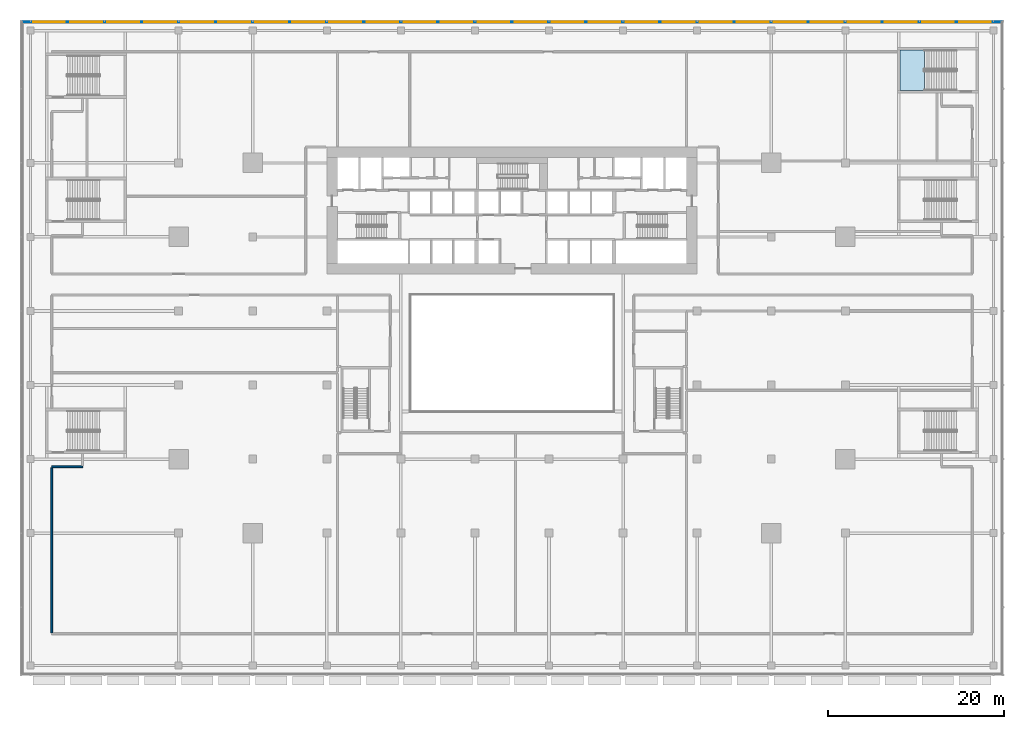
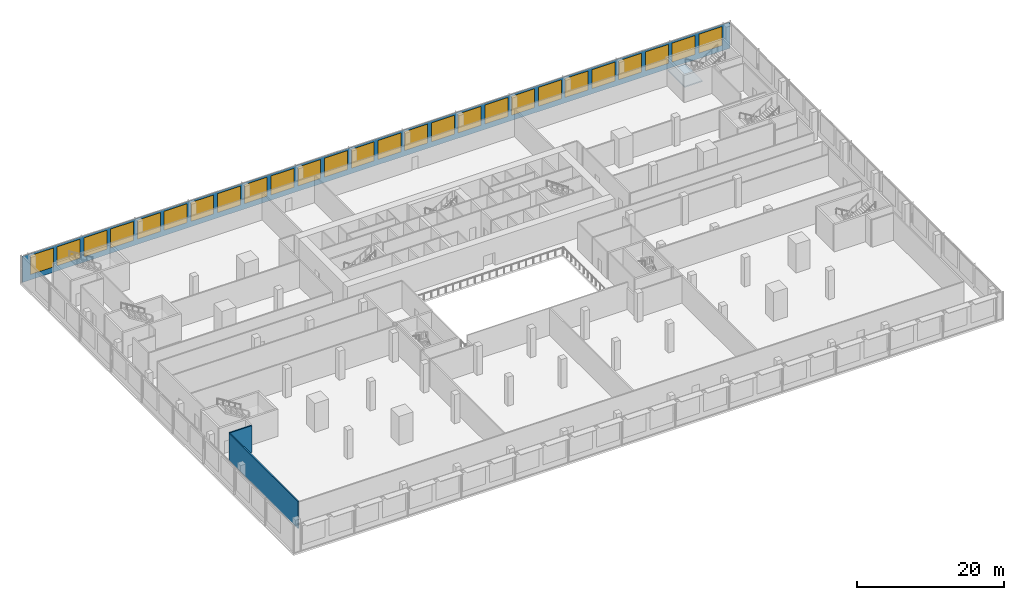
# One storey, part 25 of 39: 26 windows, 2 walls, 1 plate, 1 slab, 26 openings, 2 elements without a shape of their own.
"""IFC4 building model written with IfcOpenShell, lengths in metres."""

from ifc_helpers import new_model, si_unit, direction, frame, frame_2d, origin, place, context, subcontext, project, spatial, polyline, rectangle, outline, extrude, material, layer, layer_set, type_object, element, fill, aggregate, save


model = new_model("IFC4")

# Units and contexts
model_context = context("Model", 3, precision=1e-05, world=origin(), true_north=direction((0.0, 1.0)))
body_context = subcontext(model_context, "Body", "Model", "MODEL_VIEW")
ifc_project = project(units=[si_unit("LENGTHUNIT", "METRE"), si_unit("AREAUNIT", "SQUARE_METRE"), si_unit("VOLUMEUNIT", "CUBIC_METRE"), si_unit("PLANEANGLEUNIT", "RADIAN"), si_unit("MASSUNIT", "GRAM", prefix="KILO")], contexts=[model_context])

# Site, building, storey
site_placement = place(None, origin())
site = spatial("IfcSite", under=ifc_project, at=site_placement, CompositionType="ELEMENT")
building_placement = place(site_placement, origin())
building = spatial("IfcBuilding", under=site, at=building_placement, Name="Saffron Gate Tower", CompositionType="ELEMENT")
storey_placement = place(building_placement, frame((0.0, 0.0, 14.39990234375)))
storey = spatial("IfcBuildingStorey", under=building, at=storey_placement, Name="L02", CompositionType="ELEMENT", Elevation=14.39990234375)

# Curtain wall, plate, openings, windows
ifc_material_1 = material(Name="Aluminium, bronze anodised", Category="aluminium")
curtain_wall_type = type_object("IfcCurtainWallType", Name="CWS5 curtain wall podium ring base", PredefinedType="NOTDEFINED", material=ifc_material_1)
curtain_wall_placement = place(storey_placement, origin())
curtain_wall = element("IfcCurtainWall", 1, at=curtain_wall_placement, inside=storey, type_object=curtain_wall_type, Name="CWS5 run 3", PredefinedType="NOTDEFINED")
ifc_material_2 = material(Name="Clear low-iron laminated glass", Category="glass")
ifc_layer_1 = layer(ifc_material_2, 0.028076171875)
ifc_layer_set_1 = layer_set([ifc_layer_1], Name="CWS5 fixed glass")
plate_type = type_object("IfcPlateType", Name="CWS5 fixed glass", PredefinedType="CURTAIN_PANEL", material=ifc_layer_set_1)
plate_placement = place(storey_placement, frame((143.172119140625, 89.785888671875, 0.0), z_axis=(0.0, 0.0, 1.0), x_axis=(-1.0, 0.0, 0.0)))
plate = element("IfcPlate", 2, at=plate_placement, type_object=plate_type, Name="CWS5 glass panel", PredefinedType="CURTAIN_PANEL", context=body_context, shape_type="SweptSolid", body=[
    extrude(rectangle(XDim=111.14404296875, YDim=0.028076171875, at=frame_2d((55.572021484375, 0.0))), origin(), (0.0, 0.0, 1.0), 4.380126953125),
])
opening_1_placement = place(plate_placement, frame((1.27197265625, 0.0, 0.89990234375)))
opening_1 = element("IfcOpeningElement", 3, at=opening_1_placement, cuts=plate, Name="Opening W5", PredefinedType="OPENING", context=body_context, shape_type="SweptSolid", body=[
    extrude(rectangle(XDim=3.60009765625, YDim=3.1298828125, at=frame_2d((1.800048828125, 1.56494140625))), frame((0.0, 0.02392578125, 0.0), z_axis=(0.0, -1.0, 0.0), x_axis=(1.0, 0.0, 0.0)), (0.0, 0.0, 1.0), 0.048095703125),
])
opening_2_placement = place(plate_placement, frame((5.471923828125, 0.0, 0.89990234375)))
opening_2 = element("IfcOpeningElement", 4, at=opening_2_placement, cuts=plate, Name="Opening W5", PredefinedType="OPENING", context=body_context, shape_type="SweptSolid", body=[
    extrude(rectangle(XDim=3.60009765625, YDim=3.1298828125, at=frame_2d((1.800048828125, 1.56494140625))), frame((0.0, 0.02392578125, 0.0), z_axis=(0.0, -1.0, 0.0), x_axis=(1.0, 0.0, 0.0)), (0.0, 0.0, 1.0), 0.048095703125),
])
opening_3_placement = place(plate_placement, frame((9.672119140625, 0.0, 0.89990234375)))
opening_3 = element("IfcOpeningElement", 5, at=opening_3_placement, cuts=plate, Name="Opening W5", PredefinedType="OPENING", context=body_context, shape_type="SweptSolid", body=[
    extrude(rectangle(XDim=3.60009765625, YDim=3.1298828125, at=frame_2d((1.800048828125, 1.56494140625))), frame((0.0, 0.02392578125, 0.0), z_axis=(0.0, -1.0, 0.0), x_axis=(1.0, 0.0, 0.0)), (0.0, 0.0, 1.0), 0.048095703125),
])
opening_4_placement = place(plate_placement, frame((13.8720703125, 0.0, 0.89990234375)))
opening_4 = element("IfcOpeningElement", 6, at=opening_4_placement, cuts=plate, Name="Opening W5", PredefinedType="OPENING", context=body_context, shape_type="SweptSolid", body=[
    extrude(rectangle(XDim=3.60009765625, YDim=3.1298828125, at=frame_2d((1.800048828125, 1.56494140625))), frame((0.0, 0.02392578125, 0.0), z_axis=(0.0, -1.0, 0.0), x_axis=(1.0, 0.0, 0.0)), (0.0, 0.0, 1.0), 0.048095703125),
])
opening_5_placement = place(plate_placement, frame((18.072021484375, 0.0, 0.89990234375)))
opening_5 = element("IfcOpeningElement", 7, at=opening_5_placement, cuts=plate, Name="Opening W5", PredefinedType="OPENING", context=body_context, shape_type="SweptSolid", body=[
    extrude(rectangle(XDim=3.60009765625, YDim=3.1298828125, at=frame_2d((1.800048828125, 1.56494140625))), frame((0.0, 0.02392578125, 0.0), z_axis=(0.0, -1.0, 0.0), x_axis=(1.0, 0.0, 0.0)), (0.0, 0.0, 1.0), 0.048095703125),
])
opening_6_placement = place(plate_placement, frame((22.27197265625, 0.0, 0.89990234375)))
opening_6 = element("IfcOpeningElement", 8, at=opening_6_placement, cuts=plate, Name="Opening W5", PredefinedType="OPENING", context=body_context, shape_type="SweptSolid", body=[
    extrude(rectangle(XDim=3.60009765625, YDim=3.1298828125, at=frame_2d((1.800048828125, 1.56494140625))), frame((0.0, 0.02392578125, 0.0), z_axis=(0.0, -1.0, 0.0), x_axis=(1.0, 0.0, 0.0)), (0.0, 0.0, 1.0), 0.048095703125),
])
opening_7_placement = place(plate_placement, frame((26.471923828125, 0.0, 0.89990234375)))
opening_7 = element("IfcOpeningElement", 9, at=opening_7_placement, cuts=plate, Name="Opening W5", PredefinedType="OPENING", context=body_context, shape_type="SweptSolid", body=[
    extrude(rectangle(XDim=3.60009765625, YDim=3.1298828125, at=frame_2d((1.800048828125, 1.56494140625))), frame((0.0, 0.02392578125, 0.0), z_axis=(0.0, -1.0, 0.0), x_axis=(1.0, 0.0, 0.0)), (0.0, 0.0, 1.0), 0.048095703125),
])
opening_8_placement = place(plate_placement, frame((30.672119140625, 0.0, 0.89990234375)))
opening_8 = element("IfcOpeningElement", 10, at=opening_8_placement, cuts=plate, Name="Opening W5", PredefinedType="OPENING", context=body_context, shape_type="SweptSolid", body=[
    extrude(rectangle(XDim=3.60009765625, YDim=3.1298828125, at=frame_2d((1.800048828125, 1.56494140625))), frame((0.0, 0.02392578125, 0.0), z_axis=(0.0, -1.0, 0.0), x_axis=(1.0, 0.0, 0.0)), (0.0, 0.0, 1.0), 0.048095703125),
])
opening_9_placement = place(plate_placement, frame((34.8720703125, 0.0, 0.89990234375)))
opening_9 = element("IfcOpeningElement", 11, at=opening_9_placement, cuts=plate, Name="Opening W5", PredefinedType="OPENING", context=body_context, shape_type="SweptSolid", body=[
    extrude(rectangle(XDim=3.60009765625, YDim=3.1298828125, at=frame_2d((1.800048828125, 1.56494140625))), frame((0.0, 0.02392578125, 0.0), z_axis=(0.0, -1.0, 0.0), x_axis=(1.0, 0.0, 0.0)), (0.0, 0.0, 1.0), 0.048095703125),
])
opening_10_placement = place(plate_placement, frame((39.072021484375, 0.0, 0.89990234375)))
opening_10 = element("IfcOpeningElement", 12, at=opening_10_placement, cuts=plate, Name="Opening W5", PredefinedType="OPENING", context=body_context, shape_type="SweptSolid", body=[
    extrude(rectangle(XDim=3.60009765625, YDim=3.1298828125, at=frame_2d((1.800048828125, 1.56494140625))), frame((0.0, 0.02392578125, 0.0), z_axis=(0.0, -1.0, 0.0), x_axis=(1.0, 0.0, 0.0)), (0.0, 0.0, 1.0), 0.048095703125),
])
opening_11_placement = place(plate_placement, frame((43.27197265625, 0.0, 0.89990234375)))
opening_11 = element("IfcOpeningElement", 13, at=opening_11_placement, cuts=plate, Name="Opening W5", PredefinedType="OPENING", context=body_context, shape_type="SweptSolid", body=[
    extrude(rectangle(XDim=3.60009765625, YDim=3.1298828125, at=frame_2d((1.800048828125, 1.56494140625))), frame((0.0, 0.02392578125, 0.0), z_axis=(0.0, -1.0, 0.0), x_axis=(1.0, 0.0, 0.0)), (0.0, 0.0, 1.0), 0.048095703125),
])
opening_12_placement = place(plate_placement, frame((47.471923828125, 0.0, 0.89990234375)))
opening_12 = element("IfcOpeningElement", 14, at=opening_12_placement, cuts=plate, Name="Opening W5", PredefinedType="OPENING", context=body_context, shape_type="SweptSolid", body=[
    extrude(rectangle(XDim=3.60009765625, YDim=3.1298828125, at=frame_2d((1.800048828125, 1.56494140625))), frame((0.0, 0.02392578125, 0.0), z_axis=(0.0, -1.0, 0.0), x_axis=(1.0, 0.0, 0.0)), (0.0, 0.0, 1.0), 0.048095703125),
])
opening_13_placement = place(plate_placement, frame((51.672119140625, 0.0, 0.89990234375)))
opening_13 = element("IfcOpeningElement", 15, at=opening_13_placement, cuts=plate, Name="Opening W5", PredefinedType="OPENING", context=body_context, shape_type="SweptSolid", body=[
    extrude(rectangle(XDim=3.60009765625, YDim=3.1298828125, at=frame_2d((1.800048828125, 1.56494140625))), frame((0.0, 0.02392578125, 0.0), z_axis=(0.0, -1.0, 0.0), x_axis=(1.0, 0.0, 0.0)), (0.0, 0.0, 1.0), 0.048095703125),
])
opening_14_placement = place(plate_placement, frame((55.8720703125, 0.0, 0.89990234375)))
opening_14 = element("IfcOpeningElement", 16, at=opening_14_placement, cuts=plate, Name="Opening W5", PredefinedType="OPENING", context=body_context, shape_type="SweptSolid", body=[
    extrude(rectangle(XDim=3.60009765625, YDim=3.1298828125, at=frame_2d((1.800048828125, 1.56494140625))), frame((0.0, 0.02392578125, 0.0), z_axis=(0.0, -1.0, 0.0), x_axis=(1.0, 0.0, 0.0)), (0.0, 0.0, 1.0), 0.048095703125),
])
opening_15_placement = place(plate_placement, frame((60.072021484375, 0.0, 0.89990234375)))
opening_15 = element("IfcOpeningElement", 17, at=opening_15_placement, cuts=plate, Name="Opening W5", PredefinedType="OPENING", context=body_context, shape_type="SweptSolid", body=[
    extrude(rectangle(XDim=3.60009765625, YDim=3.1298828125, at=frame_2d((1.800048828125, 1.56494140625))), frame((0.0, 0.02392578125, 0.0), z_axis=(0.0, -1.0, 0.0), x_axis=(1.0, 0.0, 0.0)), (0.0, 0.0, 1.0), 0.048095703125),
])
opening_16_placement = place(plate_placement, frame((64.27197265625, 0.0, 0.89990234375)))
opening_16 = element("IfcOpeningElement", 18, at=opening_16_placement, cuts=plate, Name="Opening W5", PredefinedType="OPENING", context=body_context, shape_type="SweptSolid", body=[
    extrude(rectangle(XDim=3.60009765625, YDim=3.1298828125, at=frame_2d((1.800048828125, 1.56494140625))), frame((0.0, 0.02392578125, 0.0), z_axis=(0.0, -1.0, 0.0), x_axis=(1.0, 0.0, 0.0)), (0.0, 0.0, 1.0), 0.048095703125),
])
opening_17_placement = place(plate_placement, frame((68.471923828125, 0.0, 0.89990234375)))
opening_17 = element("IfcOpeningElement", 19, at=opening_17_placement, cuts=plate, Name="Opening W5", PredefinedType="OPENING", context=body_context, shape_type="SweptSolid", body=[
    extrude(rectangle(XDim=3.60009765625, YDim=3.1298828125, at=frame_2d((1.800048828125, 1.56494140625))), frame((0.0, 0.02392578125, 0.0), z_axis=(0.0, -1.0, 0.0), x_axis=(1.0, 0.0, 0.0)), (0.0, 0.0, 1.0), 0.048095703125),
])
opening_18_placement = place(plate_placement, frame((72.672119140625, 0.0, 0.89990234375)))
opening_18 = element("IfcOpeningElement", 20, at=opening_18_placement, cuts=plate, Name="Opening W5", PredefinedType="OPENING", context=body_context, shape_type="SweptSolid", body=[
    extrude(rectangle(XDim=3.60009765625, YDim=3.1298828125, at=frame_2d((1.800048828125, 1.56494140625))), frame((0.0, 0.02392578125, 0.0), z_axis=(0.0, -1.0, 0.0), x_axis=(1.0, 0.0, 0.0)), (0.0, 0.0, 1.0), 0.048095703125),
])
opening_19_placement = place(plate_placement, frame((76.8720703125, 0.0, 0.89990234375)))
opening_19 = element("IfcOpeningElement", 21, at=opening_19_placement, cuts=plate, Name="Opening W5", PredefinedType="OPENING", context=body_context, shape_type="SweptSolid", body=[
    extrude(rectangle(XDim=3.60009765625, YDim=3.1298828125, at=frame_2d((1.800048828125, 1.56494140625))), frame((0.0, 0.02392578125, 0.0), z_axis=(0.0, -1.0, 0.0), x_axis=(1.0, 0.0, 0.0)), (0.0, 0.0, 1.0), 0.048095703125),
])
opening_20_placement = place(plate_placement, frame((81.072021484375, 0.0, 0.89990234375)))
opening_20 = element("IfcOpeningElement", 22, at=opening_20_placement, cuts=plate, Name="Opening W5", PredefinedType="OPENING", context=body_context, shape_type="SweptSolid", body=[
    extrude(rectangle(XDim=3.60009765625, YDim=3.1298828125, at=frame_2d((1.800048828125, 1.56494140625))), frame((0.0, 0.02392578125, 0.0), z_axis=(0.0, -1.0, 0.0), x_axis=(1.0, 0.0, 0.0)), (0.0, 0.0, 1.0), 0.048095703125),
])
opening_21_placement = place(plate_placement, frame((85.27197265625, 0.0, 0.89990234375)))
opening_21 = element("IfcOpeningElement", 23, at=opening_21_placement, cuts=plate, Name="Opening W5", PredefinedType="OPENING", context=body_context, shape_type="SweptSolid", body=[
    extrude(rectangle(XDim=3.60009765625, YDim=3.1298828125, at=frame_2d((1.800048828125, 1.56494140625))), frame((0.0, 0.02392578125, 0.0), z_axis=(0.0, -1.0, 0.0), x_axis=(1.0, 0.0, 0.0)), (0.0, 0.0, 1.0), 0.048095703125),
])
opening_22_placement = place(plate_placement, frame((89.471923828125, 0.0, 0.89990234375)))
opening_22 = element("IfcOpeningElement", 24, at=opening_22_placement, cuts=plate, Name="Opening W5", PredefinedType="OPENING", context=body_context, shape_type="SweptSolid", body=[
    extrude(rectangle(XDim=3.60009765625, YDim=3.1298828125, at=frame_2d((1.800048828125, 1.56494140625))), frame((0.0, 0.02392578125, 0.0), z_axis=(0.0, -1.0, 0.0), x_axis=(1.0, 0.0, 0.0)), (0.0, 0.0, 1.0), 0.048095703125),
])
opening_23_placement = place(plate_placement, frame((93.672119140625, 0.0, 0.89990234375)))
opening_23 = element("IfcOpeningElement", 25, at=opening_23_placement, cuts=plate, Name="Opening W5", PredefinedType="OPENING", context=body_context, shape_type="SweptSolid", body=[
    extrude(rectangle(XDim=3.60009765625, YDim=3.1298828125, at=frame_2d((1.800048828125, 1.56494140625))), frame((0.0, 0.02392578125, 0.0), z_axis=(0.0, -1.0, 0.0), x_axis=(1.0, 0.0, 0.0)), (0.0, 0.0, 1.0), 0.048095703125),
])
opening_24_placement = place(plate_placement, frame((97.8720703125, 0.0, 0.89990234375)))
opening_24 = element("IfcOpeningElement", 26, at=opening_24_placement, cuts=plate, Name="Opening W5", PredefinedType="OPENING", context=body_context, shape_type="SweptSolid", body=[
    extrude(rectangle(XDim=3.60009765625, YDim=3.1298828125, at=frame_2d((1.800048828125, 1.56494140625))), frame((0.0, 0.02392578125, 0.0), z_axis=(0.0, -1.0, 0.0), x_axis=(1.0, 0.0, 0.0)), (0.0, 0.0, 1.0), 0.048095703125),
])
opening_25_placement = place(plate_placement, frame((102.072021484375, 0.0, 0.89990234375)))
opening_25 = element("IfcOpeningElement", 27, at=opening_25_placement, cuts=plate, Name="Opening W5", PredefinedType="OPENING", context=body_context, shape_type="SweptSolid", body=[
    extrude(rectangle(XDim=3.60009765625, YDim=3.1298828125, at=frame_2d((1.800048828125, 1.56494140625))), frame((0.0, 0.02392578125, 0.0), z_axis=(0.0, -1.0, 0.0), x_axis=(1.0, 0.0, 0.0)), (0.0, 0.0, 1.0), 0.048095703125),
])
opening_26_placement = place(plate_placement, frame((106.27197265625, 0.0, 0.89990234375)))
opening_26 = element("IfcOpeningElement", 28, at=opening_26_placement, cuts=plate, Name="Opening W5", PredefinedType="OPENING", context=body_context, shape_type="SweptSolid", body=[
    extrude(rectangle(XDim=3.60009765625, YDim=3.1298828125, at=frame_2d((1.800048828125, 1.56494140625))), frame((0.0, 0.02392578125, 0.0), z_axis=(0.0, -1.0, 0.0), x_axis=(1.0, 0.0, 0.0)), (0.0, 0.0, 1.0), 0.048095703125),
])
ifc_material_3 = material(Name="Fritted bronze-tinted laminated glass in bronze frame", Category="glass")
ifc_layer_2 = layer(ifc_material_3, 0.06005859375)
ifc_layer_set_2 = layer_set([ifc_layer_2], Name="W5 operable panel 3600x3130")
window_type = type_object("IfcWindowType", Name="W5 operable panel 3600x3130", PartitioningType="DOUBLE_PANEL_HORIZONTAL", PredefinedType="WINDOW", material=ifc_layer_set_2)
window_1_placement = place(opening_1_placement, origin())
window_1 = element("IfcWindow", 29, at=window_1_placement, type_object=window_type, Name="W5 operable panel", OverallHeight=3.1298828125, OverallWidth=3.60009765625, PartitioningType="SINGLE_PANEL", PredefinedType="WINDOW", context=body_context, shape_type="SweptSolid", body=[
    extrude(rectangle(XDim=3.60009765625, YDim=3.1298828125, at=frame_2d((1.800048828125, 1.56494140625))), frame((0.0, 0.013671875, 0.0), z_axis=(0.0, -1.0, 0.0), x_axis=(1.0, 0.0, 0.0)), (0.0, 0.0, 1.0), 0.027587890625),
])
fill(opening_1, window_1)
window_2_placement = place(opening_2_placement, origin())
window_2 = element("IfcWindow", 30, at=window_2_placement, type_object=window_type, Name="W5 operable panel", OverallHeight=3.1298828125, OverallWidth=3.60009765625, PartitioningType="SINGLE_PANEL", PredefinedType="WINDOW", context=body_context, shape_type="SweptSolid", body=[
    extrude(rectangle(XDim=3.60009765625, YDim=3.1298828125, at=frame_2d((1.800048828125, 1.56494140625))), frame((0.0, 0.013671875, 0.0), z_axis=(0.0, -1.0, 0.0), x_axis=(1.0, 0.0, 0.0)), (0.0, 0.0, 1.0), 0.027587890625),
])
fill(opening_2, window_2)
window_3_placement = place(opening_3_placement, origin())
window_3 = element("IfcWindow", 31, at=window_3_placement, type_object=window_type, Name="W5 operable panel", OverallHeight=3.1298828125, OverallWidth=3.60009765625, PartitioningType="SINGLE_PANEL", PredefinedType="WINDOW", context=body_context, shape_type="SweptSolid", body=[
    extrude(rectangle(XDim=3.60009765625, YDim=3.1298828125, at=frame_2d((1.800048828125, 1.56494140625))), frame((0.0, 0.013671875, 0.0), z_axis=(0.0, -1.0, 0.0), x_axis=(1.0, 0.0, 0.0)), (0.0, 0.0, 1.0), 0.027587890625),
])
fill(opening_3, window_3)
window_4_placement = place(opening_4_placement, origin())
window_4 = element("IfcWindow", 32, at=window_4_placement, type_object=window_type, Name="W5 operable panel", OverallHeight=3.1298828125, OverallWidth=3.60009765625, PartitioningType="SINGLE_PANEL", PredefinedType="WINDOW", context=body_context, shape_type="SweptSolid", body=[
    extrude(rectangle(XDim=3.60009765625, YDim=3.1298828125, at=frame_2d((1.800048828125, 1.56494140625))), frame((0.0, 0.013671875, 0.0), z_axis=(0.0, -1.0, 0.0), x_axis=(1.0, 0.0, 0.0)), (0.0, 0.0, 1.0), 0.027587890625),
])
fill(opening_4, window_4)
window_5_placement = place(opening_5_placement, origin())
window_5 = element("IfcWindow", 33, at=window_5_placement, type_object=window_type, Name="W5 operable panel", OverallHeight=3.1298828125, OverallWidth=3.60009765625, PartitioningType="SINGLE_PANEL", PredefinedType="WINDOW", context=body_context, shape_type="SweptSolid", body=[
    extrude(rectangle(XDim=3.60009765625, YDim=3.1298828125, at=frame_2d((1.800048828125, 1.56494140625))), frame((0.0, 0.013671875, 0.0), z_axis=(0.0, -1.0, 0.0), x_axis=(1.0, 0.0, 0.0)), (0.0, 0.0, 1.0), 0.027587890625),
])
fill(opening_5, window_5)
window_6_placement = place(opening_6_placement, origin())
window_6 = element("IfcWindow", 34, at=window_6_placement, type_object=window_type, Name="W5 operable panel", OverallHeight=3.1298828125, OverallWidth=3.60009765625, PartitioningType="SINGLE_PANEL", PredefinedType="WINDOW", context=body_context, shape_type="SweptSolid", body=[
    extrude(rectangle(XDim=3.60009765625, YDim=3.1298828125, at=frame_2d((1.800048828125, 1.56494140625))), frame((0.0, 0.013671875, 0.0), z_axis=(0.0, -1.0, 0.0), x_axis=(1.0, 0.0, 0.0)), (0.0, 0.0, 1.0), 0.027587890625),
])
fill(opening_6, window_6)
window_7_placement = place(opening_7_placement, origin())
window_7 = element("IfcWindow", 35, at=window_7_placement, type_object=window_type, Name="W5 operable panel", OverallHeight=3.1298828125, OverallWidth=3.60009765625, PartitioningType="SINGLE_PANEL", PredefinedType="WINDOW", context=body_context, shape_type="SweptSolid", body=[
    extrude(rectangle(XDim=3.60009765625, YDim=3.1298828125, at=frame_2d((1.800048828125, 1.56494140625))), frame((0.0, 0.013671875, 0.0), z_axis=(0.0, -1.0, 0.0), x_axis=(1.0, 0.0, 0.0)), (0.0, 0.0, 1.0), 0.027587890625),
])
fill(opening_7, window_7)
window_8_placement = place(opening_8_placement, origin())
window_8 = element("IfcWindow", 36, at=window_8_placement, type_object=window_type, Name="W5 operable panel", OverallHeight=3.1298828125, OverallWidth=3.60009765625, PartitioningType="SINGLE_PANEL", PredefinedType="WINDOW", context=body_context, shape_type="SweptSolid", body=[
    extrude(rectangle(XDim=3.60009765625, YDim=3.1298828125, at=frame_2d((1.800048828125, 1.56494140625))), frame((0.0, 0.013671875, 0.0), z_axis=(0.0, -1.0, 0.0), x_axis=(1.0, 0.0, 0.0)), (0.0, 0.0, 1.0), 0.027587890625),
])
fill(opening_8, window_8)
window_9_placement = place(opening_9_placement, origin())
window_9 = element("IfcWindow", 37, at=window_9_placement, type_object=window_type, Name="W5 operable panel", OverallHeight=3.1298828125, OverallWidth=3.60009765625, PartitioningType="SINGLE_PANEL", PredefinedType="WINDOW", context=body_context, shape_type="SweptSolid", body=[
    extrude(rectangle(XDim=3.60009765625, YDim=3.1298828125, at=frame_2d((1.800048828125, 1.56494140625))), frame((0.0, 0.013671875, 0.0), z_axis=(0.0, -1.0, 0.0), x_axis=(1.0, 0.0, 0.0)), (0.0, 0.0, 1.0), 0.027587890625),
])
fill(opening_9, window_9)
window_10_placement = place(opening_10_placement, origin())
window_10 = element("IfcWindow", 38, at=window_10_placement, type_object=window_type, Name="W5 operable panel", OverallHeight=3.1298828125, OverallWidth=3.60009765625, PartitioningType="SINGLE_PANEL", PredefinedType="WINDOW", context=body_context, shape_type="SweptSolid", body=[
    extrude(rectangle(XDim=3.60009765625, YDim=3.1298828125, at=frame_2d((1.800048828125, 1.56494140625))), frame((0.0, 0.013671875, 0.0), z_axis=(0.0, -1.0, 0.0), x_axis=(1.0, 0.0, 0.0)), (0.0, 0.0, 1.0), 0.027587890625),
])
fill(opening_10, window_10)
window_11_placement = place(opening_11_placement, origin())
window_11 = element("IfcWindow", 39, at=window_11_placement, type_object=window_type, Name="W5 operable panel", OverallHeight=3.1298828125, OverallWidth=3.60009765625, PartitioningType="SINGLE_PANEL", PredefinedType="WINDOW", context=body_context, shape_type="SweptSolid", body=[
    extrude(rectangle(XDim=3.60009765625, YDim=3.1298828125, at=frame_2d((1.800048828125, 1.56494140625))), frame((0.0, 0.013671875, 0.0), z_axis=(0.0, -1.0, 0.0), x_axis=(1.0, 0.0, 0.0)), (0.0, 0.0, 1.0), 0.027587890625),
])
fill(opening_11, window_11)
window_12_placement = place(opening_12_placement, origin())
window_12 = element("IfcWindow", 40, at=window_12_placement, type_object=window_type, Name="W5 operable panel", OverallHeight=3.1298828125, OverallWidth=3.60009765625, PartitioningType="SINGLE_PANEL", PredefinedType="WINDOW", context=body_context, shape_type="SweptSolid", body=[
    extrude(rectangle(XDim=3.60009765625, YDim=3.1298828125, at=frame_2d((1.800048828125, 1.56494140625))), frame((0.0, 0.013671875, 0.0), z_axis=(0.0, -1.0, 0.0), x_axis=(1.0, 0.0, 0.0)), (0.0, 0.0, 1.0), 0.027587890625),
])
fill(opening_12, window_12)
window_13_placement = place(opening_13_placement, origin())
window_13 = element("IfcWindow", 41, at=window_13_placement, type_object=window_type, Name="W5 operable panel", OverallHeight=3.1298828125, OverallWidth=3.60009765625, PartitioningType="SINGLE_PANEL", PredefinedType="WINDOW", context=body_context, shape_type="SweptSolid", body=[
    extrude(rectangle(XDim=3.60009765625, YDim=3.1298828125, at=frame_2d((1.800048828125, 1.56494140625))), frame((0.0, 0.013671875, 0.0), z_axis=(0.0, -1.0, 0.0), x_axis=(1.0, 0.0, 0.0)), (0.0, 0.0, 1.0), 0.027587890625),
])
fill(opening_13, window_13)
window_14_placement = place(opening_14_placement, origin())
window_14 = element("IfcWindow", 42, at=window_14_placement, type_object=window_type, Name="W5 operable panel", OverallHeight=3.1298828125, OverallWidth=3.60009765625, PartitioningType="SINGLE_PANEL", PredefinedType="WINDOW", context=body_context, shape_type="SweptSolid", body=[
    extrude(rectangle(XDim=3.60009765625, YDim=3.1298828125, at=frame_2d((1.800048828125, 1.56494140625))), frame((0.0, 0.013671875, 0.0), z_axis=(0.0, -1.0, 0.0), x_axis=(1.0, 0.0, 0.0)), (0.0, 0.0, 1.0), 0.027587890625),
])
fill(opening_14, window_14)
window_15_placement = place(opening_15_placement, origin())
window_15 = element("IfcWindow", 43, at=window_15_placement, type_object=window_type, Name="W5 operable panel", OverallHeight=3.1298828125, OverallWidth=3.60009765625, PartitioningType="SINGLE_PANEL", PredefinedType="WINDOW", context=body_context, shape_type="SweptSolid", body=[
    extrude(rectangle(XDim=3.60009765625, YDim=3.1298828125, at=frame_2d((1.800048828125, 1.56494140625))), frame((0.0, 0.013671875, 0.0), z_axis=(0.0, -1.0, 0.0), x_axis=(1.0, 0.0, 0.0)), (0.0, 0.0, 1.0), 0.027587890625),
])
fill(opening_15, window_15)
window_16_placement = place(opening_16_placement, origin())
window_16 = element("IfcWindow", 44, at=window_16_placement, type_object=window_type, Name="W5 operable panel", OverallHeight=3.1298828125, OverallWidth=3.60009765625, PartitioningType="SINGLE_PANEL", PredefinedType="WINDOW", context=body_context, shape_type="SweptSolid", body=[
    extrude(rectangle(XDim=3.60009765625, YDim=3.1298828125, at=frame_2d((1.800048828125, 1.56494140625))), frame((0.0, 0.013671875, 0.0), z_axis=(0.0, -1.0, 0.0), x_axis=(1.0, 0.0, 0.0)), (0.0, 0.0, 1.0), 0.027587890625),
])
fill(opening_16, window_16)
window_17_placement = place(opening_17_placement, origin())
window_17 = element("IfcWindow", 45, at=window_17_placement, type_object=window_type, Name="W5 operable panel", OverallHeight=3.1298828125, OverallWidth=3.60009765625, PartitioningType="SINGLE_PANEL", PredefinedType="WINDOW", context=body_context, shape_type="SweptSolid", body=[
    extrude(rectangle(XDim=3.60009765625, YDim=3.1298828125, at=frame_2d((1.800048828125, 1.56494140625))), frame((0.0, 0.013671875, 0.0), z_axis=(0.0, -1.0, 0.0), x_axis=(1.0, 0.0, 0.0)), (0.0, 0.0, 1.0), 0.027587890625),
])
fill(opening_17, window_17)
window_18_placement = place(opening_18_placement, origin())
window_18 = element("IfcWindow", 46, at=window_18_placement, type_object=window_type, Name="W5 operable panel", OverallHeight=3.1298828125, OverallWidth=3.60009765625, PartitioningType="SINGLE_PANEL", PredefinedType="WINDOW", context=body_context, shape_type="SweptSolid", body=[
    extrude(rectangle(XDim=3.60009765625, YDim=3.1298828125, at=frame_2d((1.800048828125, 1.56494140625))), frame((0.0, 0.013671875, 0.0), z_axis=(0.0, -1.0, 0.0), x_axis=(1.0, 0.0, 0.0)), (0.0, 0.0, 1.0), 0.027587890625),
])
fill(opening_18, window_18)
window_19_placement = place(opening_19_placement, origin())
window_19 = element("IfcWindow", 47, at=window_19_placement, type_object=window_type, Name="W5 operable panel", OverallHeight=3.1298828125, OverallWidth=3.60009765625, PartitioningType="SINGLE_PANEL", PredefinedType="WINDOW", context=body_context, shape_type="SweptSolid", body=[
    extrude(rectangle(XDim=3.60009765625, YDim=3.1298828125, at=frame_2d((1.800048828125, 1.56494140625))), frame((0.0, 0.013671875, 0.0), z_axis=(0.0, -1.0, 0.0), x_axis=(1.0, 0.0, 0.0)), (0.0, 0.0, 1.0), 0.027587890625),
])
fill(opening_19, window_19)
window_20_placement = place(opening_20_placement, origin())
window_20 = element("IfcWindow", 48, at=window_20_placement, type_object=window_type, Name="W5 operable panel", OverallHeight=3.1298828125, OverallWidth=3.60009765625, PartitioningType="SINGLE_PANEL", PredefinedType="WINDOW", context=body_context, shape_type="SweptSolid", body=[
    extrude(rectangle(XDim=3.60009765625, YDim=3.1298828125, at=frame_2d((1.800048828125, 1.56494140625))), frame((0.0, 0.013671875, 0.0), z_axis=(0.0, -1.0, 0.0), x_axis=(1.0, 0.0, 0.0)), (0.0, 0.0, 1.0), 0.027587890625),
])
fill(opening_20, window_20)
window_21_placement = place(opening_21_placement, origin())
window_21 = element("IfcWindow", 49, at=window_21_placement, type_object=window_type, Name="W5 operable panel", OverallHeight=3.1298828125, OverallWidth=3.60009765625, PartitioningType="SINGLE_PANEL", PredefinedType="WINDOW", context=body_context, shape_type="SweptSolid", body=[
    extrude(rectangle(XDim=3.60009765625, YDim=3.1298828125, at=frame_2d((1.800048828125, 1.56494140625))), frame((0.0, 0.013671875, 0.0), z_axis=(0.0, -1.0, 0.0), x_axis=(1.0, 0.0, 0.0)), (0.0, 0.0, 1.0), 0.027587890625),
])
fill(opening_21, window_21)
window_22_placement = place(opening_22_placement, origin())
window_22 = element("IfcWindow", 50, at=window_22_placement, type_object=window_type, Name="W5 operable panel", OverallHeight=3.1298828125, OverallWidth=3.60009765625, PartitioningType="SINGLE_PANEL", PredefinedType="WINDOW", context=body_context, shape_type="SweptSolid", body=[
    extrude(rectangle(XDim=3.60009765625, YDim=3.1298828125, at=frame_2d((1.800048828125, 1.56494140625))), frame((0.0, 0.013671875, 0.0), z_axis=(0.0, -1.0, 0.0), x_axis=(1.0, 0.0, 0.0)), (0.0, 0.0, 1.0), 0.027587890625),
])
fill(opening_22, window_22)
window_23_placement = place(opening_23_placement, origin())
window_23 = element("IfcWindow", 51, at=window_23_placement, type_object=window_type, Name="W5 operable panel", OverallHeight=3.1298828125, OverallWidth=3.60009765625, PartitioningType="SINGLE_PANEL", PredefinedType="WINDOW", context=body_context, shape_type="SweptSolid", body=[
    extrude(rectangle(XDim=3.60009765625, YDim=3.1298828125, at=frame_2d((1.800048828125, 1.56494140625))), frame((0.0, 0.013671875, 0.0), z_axis=(0.0, -1.0, 0.0), x_axis=(1.0, 0.0, 0.0)), (0.0, 0.0, 1.0), 0.027587890625),
])
fill(opening_23, window_23)
window_24_placement = place(opening_24_placement, origin())
window_24 = element("IfcWindow", 52, at=window_24_placement, type_object=window_type, Name="W5 operable panel", OverallHeight=3.1298828125, OverallWidth=3.60009765625, PartitioningType="SINGLE_PANEL", PredefinedType="WINDOW", context=body_context, shape_type="SweptSolid", body=[
    extrude(rectangle(XDim=3.60009765625, YDim=3.1298828125, at=frame_2d((1.800048828125, 1.56494140625))), frame((0.0, 0.013671875, 0.0), z_axis=(0.0, -1.0, 0.0), x_axis=(1.0, 0.0, 0.0)), (0.0, 0.0, 1.0), 0.027587890625),
])
fill(opening_24, window_24)
window_25_placement = place(opening_25_placement, origin())
window_25 = element("IfcWindow", 53, at=window_25_placement, type_object=window_type, Name="W5 operable panel", OverallHeight=3.1298828125, OverallWidth=3.60009765625, PartitioningType="SINGLE_PANEL", PredefinedType="WINDOW", context=body_context, shape_type="SweptSolid", body=[
    extrude(rectangle(XDim=3.60009765625, YDim=3.1298828125, at=frame_2d((1.800048828125, 1.56494140625))), frame((0.0, 0.013671875, 0.0), z_axis=(0.0, -1.0, 0.0), x_axis=(1.0, 0.0, 0.0)), (0.0, 0.0, 1.0), 0.027587890625),
])
fill(opening_25, window_25)
window_26_placement = place(opening_26_placement, origin())
window_26 = element("IfcWindow", 54, at=window_26_placement, type_object=window_type, Name="W5 operable panel", OverallHeight=3.1298828125, OverallWidth=3.60009765625, PartitioningType="SINGLE_PANEL", PredefinedType="WINDOW", context=body_context, shape_type="SweptSolid", body=[
    extrude(rectangle(XDim=3.60009765625, YDim=3.1298828125, at=frame_2d((1.800048828125, 1.56494140625))), frame((0.0, 0.013671875, 0.0), z_axis=(0.0, -1.0, 0.0), x_axis=(1.0, 0.0, 0.0)), (0.0, 0.0, 1.0), 0.027587890625),
])
fill(opening_26, window_26)
aggregate(curtain_wall, [plate, window_1, window_2, window_3, window_4, window_5, window_6, window_7, window_8, window_9, window_10, window_11, window_12, window_13, window_14, window_15, window_16, window_17, window_18, window_19, window_20, window_21, window_22, window_23, window_24, window_25, window_26])

# Stair, slab
ifc_material_4 = material(Name="Concrete C40", Category="concrete")
stair_type = type_object("IfcStairType", Name="ST11 Stair 2200 wide, 28 risers of 171", PredefinedType="HALF_TURN_STAIR", material=ifc_material_4)
stair_placement = place(storey_placement, origin())
stair = element("IfcStair", 55, at=stair_placement, inside=storey, type_object=stair_type, Name="L02 Exit stair I", PredefinedType="HALF_TURN_STAIR")
ifc_layer_3 = layer(ifc_material_4, 0.199951171875)
ifc_layer_set_3 = layer_set([ifc_layer_3], Name="SL1 Stair landing 200")
slab_type = type_object("IfcSlabType", Name="SL1 Stair landing 200", PredefinedType="LANDING", material=ifc_layer_set_3)
slab_placement = place(storey_placement, frame((0.0, 0.0, 2.2001953125)))
slab = element("IfcSlab", 56, at=slab_placement, type_object=slab_type, Name="ST-I landing 1", PredefinedType="LANDING", context=body_context, shape_type="SweptSolid", body=[
    extrude(outline(polyline([(134.360107421875, 86.574951171875), (131.60009765625, 86.574951171875), (131.60009765625, 82.02490234375), (134.360107421875, 82.02490234375), (134.360107421875, 86.574951171875)])), origin(), (0.0, 0.0, 1.0), 0.199951171875),
])
aggregate(stair, [slab])

# Walls
ifc_material_5 = material(Name="Clay brick masonry, rendered", Category="masonry")
ifc_layer_4 = layer(ifc_material_5, 0.199951171875)
ifc_layer_set_4 = layer_set([ifc_layer_4], Name="PW3 Corridor wall 200")
wall_type = type_object("IfcWallType", Name="PW3 Corridor wall 200", PredefinedType="PARTITIONING", material=ifc_layer_set_4)
wall_1_placement = place(storey_placement, frame((35.39990234375, 39.324951171875, 0.0), z_axis=(0.0, 0.0, 1.0), x_axis=(1.0, 0.0, 0.0)))
element("IfcWall", 57, at=wall_1_placement, inside=storey, type_object=wall_type, Name="Wall P2-2", PredefinedType="PARTITIONING", context=body_context, shape_type="SweptSolid", body=[
    extrude(rectangle(XDim=3.5, YDim=0.199951171875, at=frame_2d((1.75, 0.0))), origin(), (0.0, 0.0, 1.0), 4.5),
])
wall_2_placement = place(storey_placement, frame((35.39990234375, 39.22509765625, 0.0), z_axis=(0.0, 0.0, 1.0), x_axis=(0.0, -1.0, 0.0)))
element("IfcWall", 58, at=wall_2_placement, inside=storey, type_object=wall_type, Name="Wall P2-39", PredefinedType="PARTITIONING", context=body_context, shape_type="SweptSolid", body=[
    extrude(rectangle(XDim=18.72509765625, YDim=0.199951171875, at=frame_2d((9.362548828125, 0.0))), origin(), (0.0, 0.0, 1.0), 4.5),
])

save(model, "model.ifc")
